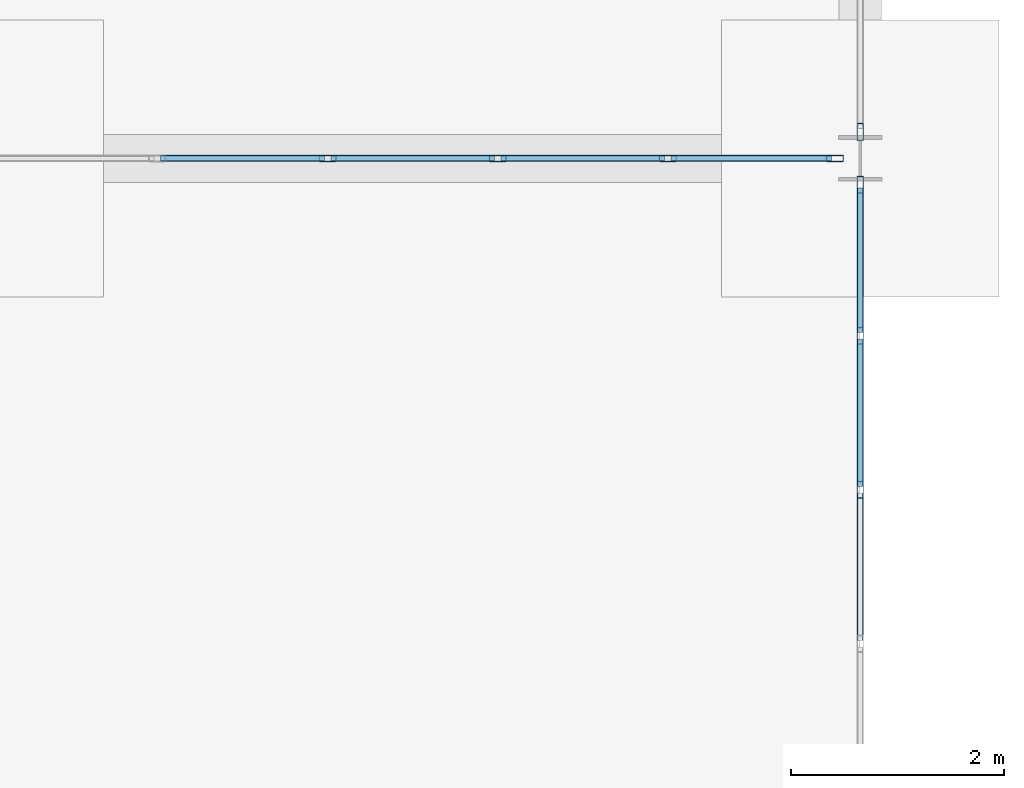
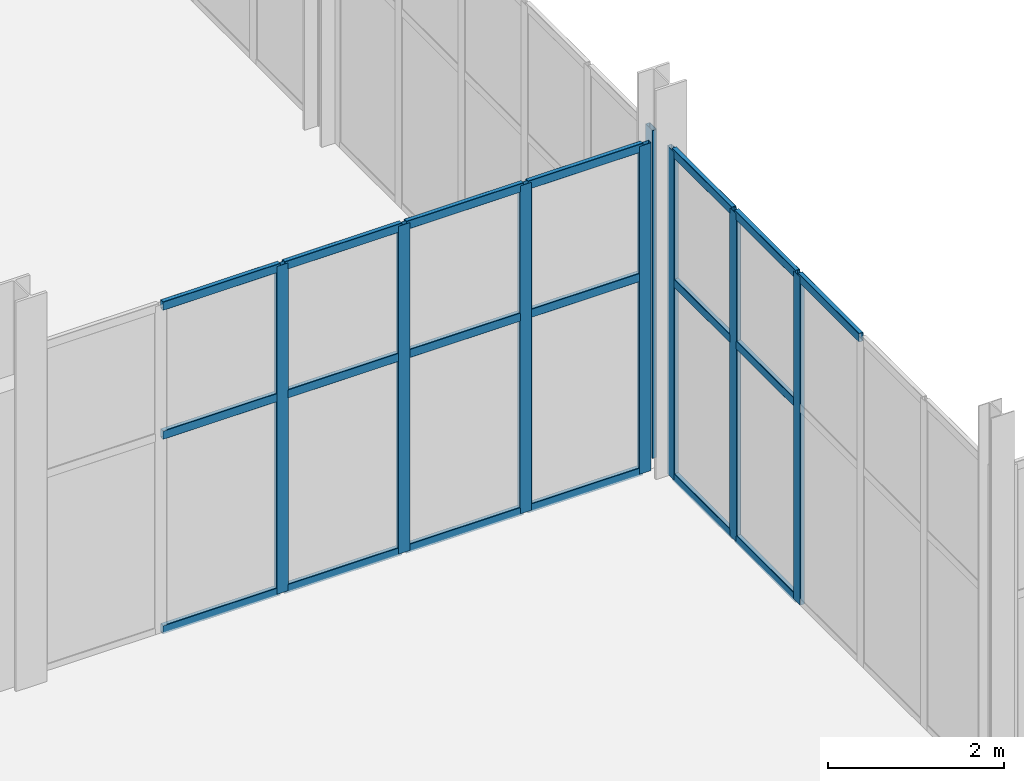
# One storey, part 30 of 95: 27 members, 3 elements without a shape of their own.
"""IFC4 building model written with IfcOpenShell, lengths in metres."""

from ifc_helpers import new_model, si_unit, direction, frame, origin, origin_2d, place, context, subcontext, project, spatial, hollow_rectangle, extrude, material, material_profile, profile_set, type_object, element, aggregate, save


model = new_model("IFC4")

# Units and contexts
model_context = context("Model", 3, precision=1e-05, world=origin(), true_north=direction((0.0, 1.0)))
body_context = subcontext(model_context, "Body", "Model", "MODEL_VIEW")
ifc_project = project(units=[si_unit("LENGTHUNIT", "METRE"), si_unit("AREAUNIT", "SQUARE_METRE"), si_unit("VOLUMEUNIT", "CUBIC_METRE"), si_unit("PLANEANGLEUNIT", "RADIAN"), si_unit("MASSUNIT", "GRAM", prefix="KILO")], contexts=[model_context])

# Site, building, storey
site_placement = place(None, origin())
site = spatial("IfcSite", under=ifc_project, at=site_placement, CompositionType="ELEMENT")
building_placement = place(site_placement, origin())
building = spatial("IfcBuilding", under=site, at=building_placement, Name="Shengluoqiao Park Theatre", CompositionType="ELEMENT")
storey_placement = place(building_placement, origin())
storey = spatial("IfcBuildingStorey", under=building, at=storey_placement, Name="L00", CompositionType="ELEMENT", Elevation=0.0)

# Curtain wall, members
ifc_material = material(Name="Aluminium 6063-T6", Category="aluminium")
curtain_wall_type_1 = type_object("IfcCurtainWallType", Name="ENV-CW-STUDIO", PredefinedType="NOTDEFINED", material=ifc_material)
curtain_wall_1_placement = place(storey_placement, origin())
curtain_wall_1 = element("IfcCurtainWall", 1, at=curtain_wall_1_placement, inside=storey, type_object=curtain_wall_type_1, Name="L00 Curtain Wall CWX-L00-0012", PredefinedType="NOTDEFINED")
ifc_material_profile_1 = material_profile(ifc_material, hollow_rectangle(XDim=0.06005859375, YDim=0.159912109375, WallThickness=0.00390625, InnerFilletRadius=0.00390625, OuterFilletRadius=0.008056640625, at=origin_2d()), Name="ALU MULLION 160x60x4")
ifc_profile_set_1 = profile_set([ifc_material_profile_1], Name="Aluminium 6063-T6")
member_type_1 = type_object("IfcMemberType", Name="ENV-MUL-160", PredefinedType="MULLION", material=ifc_profile_set_1)
member_1_placement = place(storey_placement, frame((31.00146484375, 30.39990234375, 0.0), z_axis=(0.0, 0.0, 1.0), x_axis=(0.0, 1.0, 0.0)))
member_1 = element("IfcMember", 2, at=member_1_placement, type_object=member_type_1, Name="CW-02 mullion 3", PredefinedType="MULLION", context=body_context, shape_type="SweptSolid", body=[
    extrude(hollow_rectangle(XDim=0.06005859375, YDim=0.159912109375, WallThickness=0.00390625, InnerFilletRadius=0.00390625, OuterFilletRadius=0.008056640625, at=origin_2d()), origin(), (0.0, 0.0, 1.0), 4.550048828125),
])
member_2_placement = place(storey_placement, frame((32.598388671875, 30.39990234375, 0.0), z_axis=(0.0, 0.0, 1.0), x_axis=(0.0, 1.0, 0.0)))
member_2 = element("IfcMember", 3, at=member_2_placement, type_object=member_type_1, Name="CW-02 mullion 4", PredefinedType="MULLION", context=body_context, shape_type="SweptSolid", body=[
    extrude(hollow_rectangle(XDim=0.06005859375, YDim=0.159912109375, WallThickness=0.00390625, InnerFilletRadius=0.00390625, OuterFilletRadius=0.008056640625, at=origin_2d()), origin(), (0.0, 0.0, 1.0), 4.550048828125),
])
member_3_placement = place(storey_placement, frame((34.195556640625, 30.39990234375, 0.0), z_axis=(0.0, 0.0, 1.0), x_axis=(0.0, 1.0, 0.0)))
member_3 = element("IfcMember", 4, at=member_3_placement, type_object=member_type_1, Name="CW-02 mullion 5", PredefinedType="MULLION", context=body_context, shape_type="SweptSolid", body=[
    extrude(hollow_rectangle(XDim=0.06005859375, YDim=0.159912109375, WallThickness=0.00390625, InnerFilletRadius=0.00390625, OuterFilletRadius=0.008056640625, at=origin_2d()), origin(), (0.0, 0.0, 1.0), 4.550048828125),
])
member_4_placement = place(storey_placement, frame((35.762451171875, 30.39990234375, 0.0), z_axis=(0.0, 0.0, 1.0), x_axis=(0.0, 1.0, 0.0)))
member_4 = element("IfcMember", 5, at=member_4_placement, type_object=member_type_1, Name="CW-02 mullion 6", PredefinedType="MULLION", context=body_context, shape_type="SweptSolid", body=[
    extrude(hollow_rectangle(XDim=0.06005859375, YDim=0.159912109375, WallThickness=0.00390625, InnerFilletRadius=0.00390625, OuterFilletRadius=0.008056640625, at=origin_2d()), origin(), (0.0, 0.0, 1.0), 4.550048828125),
])

# Curtain wall, member
curtain_wall_type_2 = type_object("IfcCurtainWallType", Name="ENV-CW-COURT", PredefinedType="NOTDEFINED", material=ifc_material)
curtain_wall_2_placement = place(storey_placement, origin())
curtain_wall_2 = element("IfcCurtainWall", 6, at=curtain_wall_2_placement, inside=storey, type_object=curtain_wall_type_2, Name="L00 Curtain Wall CWX-L00-0013", PredefinedType="NOTDEFINED")
member_5_placement = place(storey_placement, frame((36.0, 30.64794921875, 0.0), z_axis=(0.0, 0.0, 1.0), x_axis=(-1.0, 0.0, 0.0)))
member_5 = element("IfcMember", 7, at=member_5_placement, type_object=member_type_1, Name="CW-05 mullion 1", PredefinedType="MULLION", context=body_context, shape_type="SweptSolid", body=[
    extrude(hollow_rectangle(XDim=0.06005859375, YDim=0.159912109375, WallThickness=0.00390625, InnerFilletRadius=0.00390625, OuterFilletRadius=0.008056640625, at=origin_2d()), origin(), (0.0, 0.0, 1.0), 4.550048828125),
])
aggregate(curtain_wall_2, [member_5])

# Curtain wall, members
curtain_wall_3_placement = place(storey_placement, origin())
curtain_wall_3 = element("IfcCurtainWall", 8, at=curtain_wall_3_placement, inside=storey, type_object=curtain_wall_type_2, Name="L00 Curtain Wall CWX-L00-0154", PredefinedType="NOTDEFINED")
member_6_placement = place(storey_placement, frame((36.0, 27.290771484375, 0.0), z_axis=(0.0, 0.0, 1.0), x_axis=(-1.0, 0.0, 0.0)))
member_6 = element("IfcMember", 9, at=member_6_placement, type_object=member_type_1, Name="CW-05 mullion 4", PredefinedType="MULLION", context=body_context, shape_type="SweptSolid", body=[
    extrude(hollow_rectangle(XDim=0.06005859375, YDim=0.159912109375, WallThickness=0.00390625, InnerFilletRadius=0.00390625, OuterFilletRadius=0.008056640625, at=origin_2d()), origin(), (0.0, 0.0, 1.0), 4.550048828125),
])
member_7_placement = place(storey_placement, frame((36.0, 28.736328125, 0.0), z_axis=(0.0, 0.0, 1.0), x_axis=(-1.0, 0.0, 0.0)))
member_7 = element("IfcMember", 10, at=member_7_placement, type_object=member_type_1, Name="CW-05 mullion 5", PredefinedType="MULLION", context=body_context, shape_type="SweptSolid", body=[
    extrude(hollow_rectangle(XDim=0.06005859375, YDim=0.159912109375, WallThickness=0.00390625, InnerFilletRadius=0.00390625, OuterFilletRadius=0.008056640625, at=origin_2d()), origin(), (0.0, 0.0, 1.0), 4.550048828125),
])
member_8_placement = place(storey_placement, frame((36.0, 30.152099609375, 0.0), z_axis=(0.0, 0.0, 1.0), x_axis=(-1.0, 0.0, 0.0)))
member_8 = element("IfcMember", 11, at=member_8_placement, type_object=member_type_1, Name="CW-05 mullion 6", PredefinedType="MULLION", context=body_context, shape_type="SweptSolid", body=[
    extrude(hollow_rectangle(XDim=0.06005859375, YDim=0.159912109375, WallThickness=0.00390625, InnerFilletRadius=0.00390625, OuterFilletRadius=0.008056640625, at=origin_2d()), origin(), (0.0, 0.0, 1.0), 4.550048828125),
])

# Member
ifc_material_profile_2 = material_profile(ifc_material, hollow_rectangle(XDim=0.06005859375, YDim=0.1201171875, WallThickness=0.00390625, InnerFilletRadius=0.00390625, OuterFilletRadius=0.008056640625, at=origin_2d()), Name="ALU TRANSOM 120x60x4")
ifc_profile_set_2 = profile_set([ifc_material_profile_2], Name="Aluminium 6063-T6")
member_type_2 = type_object("IfcMemberType", Name="ENV-TRN-120", PredefinedType="USERDEFINED", material=ifc_profile_set_2)
member_9_placement = place(storey_placement, frame((29.4345703125, 30.39990234375, 0.030029296875), z_axis=(1.0, 0.0, 0.0), x_axis=(0.0, 1.0, 0.0)))
member_9 = element("IfcMember", 12, at=member_9_placement, type_object=member_type_2, Name="CW-02 transom 2.1", ObjectType="TRANSOM", PredefinedType="USERDEFINED", context=body_context, shape_type="SweptSolid", body=[
    extrude(hollow_rectangle(XDim=0.06005859375, YDim=0.1201171875, WallThickness=0.00390625, InnerFilletRadius=0.00390625, OuterFilletRadius=0.008056640625, at=origin_2d()), origin(), (0.0, 0.0, 1.0), 1.536865234375),
])

member_10_placement = place(storey_placement, frame((29.4345703125, 30.39990234375, 2.72998046875), z_axis=(1.0, 0.0, 0.0), x_axis=(0.0, 1.0, 0.0)))
member_10 = element("IfcMember", 13, at=member_10_placement, type_object=member_type_2, Name="CW-02 transom 2.2", ObjectType="TRANSOM", PredefinedType="USERDEFINED", context=body_context, shape_type="SweptSolid", body=[
    extrude(hollow_rectangle(XDim=0.06005859375, YDim=0.1201171875, WallThickness=0.00390625, InnerFilletRadius=0.00390625, OuterFilletRadius=0.008056640625, at=origin_2d()), origin(), (0.0, 0.0, 1.0), 1.536865234375),
])

member_11_placement = place(storey_placement, frame((29.4345703125, 30.39990234375, 4.52001953125), z_axis=(1.0, 0.0, 0.0), x_axis=(0.0, 1.0, 0.0)))
member_11 = element("IfcMember", 14, at=member_11_placement, type_object=member_type_2, Name="CW-02 transom 2.3", ObjectType="TRANSOM", PredefinedType="USERDEFINED", context=body_context, shape_type="SweptSolid", body=[
    extrude(hollow_rectangle(XDim=0.06005859375, YDim=0.1201171875, WallThickness=0.00390625, InnerFilletRadius=0.00390625, OuterFilletRadius=0.008056640625, at=origin_2d()), origin(), (0.0, 0.0, 1.0), 1.536865234375),
])

member_12_placement = place(storey_placement, frame((31.031494140625, 30.39990234375, 0.030029296875), z_axis=(1.0, 0.0, 0.0), x_axis=(0.0, 1.0, 0.0)))
member_12 = element("IfcMember", 15, at=member_12_placement, type_object=member_type_2, Name="CW-02 transom 3.1", ObjectType="TRANSOM", PredefinedType="USERDEFINED", context=body_context, shape_type="SweptSolid", body=[
    extrude(hollow_rectangle(XDim=0.06005859375, YDim=0.1201171875, WallThickness=0.00390625, InnerFilletRadius=0.00390625, OuterFilletRadius=0.008056640625, at=origin_2d()), origin(), (0.0, 0.0, 1.0), 1.537109375),
])

member_13_placement = place(storey_placement, frame((31.031494140625, 30.39990234375, 2.72998046875), z_axis=(1.0, 0.0, 0.0), x_axis=(0.0, 1.0, 0.0)))
member_13 = element("IfcMember", 16, at=member_13_placement, type_object=member_type_2, Name="CW-02 transom 3.2", ObjectType="TRANSOM", PredefinedType="USERDEFINED", context=body_context, shape_type="SweptSolid", body=[
    extrude(hollow_rectangle(XDim=0.06005859375, YDim=0.1201171875, WallThickness=0.00390625, InnerFilletRadius=0.00390625, OuterFilletRadius=0.008056640625, at=origin_2d()), origin(), (0.0, 0.0, 1.0), 1.537109375),
])

member_14_placement = place(storey_placement, frame((31.031494140625, 30.39990234375, 4.52001953125), z_axis=(1.0, 0.0, 0.0), x_axis=(0.0, 1.0, 0.0)))
member_14 = element("IfcMember", 17, at=member_14_placement, type_object=member_type_2, Name="CW-02 transom 3.3", ObjectType="TRANSOM", PredefinedType="USERDEFINED", context=body_context, shape_type="SweptSolid", body=[
    extrude(hollow_rectangle(XDim=0.06005859375, YDim=0.1201171875, WallThickness=0.00390625, InnerFilletRadius=0.00390625, OuterFilletRadius=0.008056640625, at=origin_2d()), origin(), (0.0, 0.0, 1.0), 1.537109375),
])

member_15_placement = place(storey_placement, frame((32.62841796875, 30.39990234375, 0.030029296875), z_axis=(1.0, 0.0, 0.0), x_axis=(0.0, 1.0, 0.0)))
member_15 = element("IfcMember", 18, at=member_15_placement, type_object=member_type_2, Name="CW-02 transom 4.1", ObjectType="TRANSOM", PredefinedType="USERDEFINED", context=body_context, shape_type="SweptSolid", body=[
    extrude(hollow_rectangle(XDim=0.06005859375, YDim=0.1201171875, WallThickness=0.00390625, InnerFilletRadius=0.00390625, OuterFilletRadius=0.008056640625, at=origin_2d()), origin(), (0.0, 0.0, 1.0), 1.537109375),
])

member_16_placement = place(storey_placement, frame((32.62841796875, 30.39990234375, 2.72998046875), z_axis=(1.0, 0.0, 0.0), x_axis=(0.0, 1.0, 0.0)))
member_16 = element("IfcMember", 19, at=member_16_placement, type_object=member_type_2, Name="CW-02 transom 4.2", ObjectType="TRANSOM", PredefinedType="USERDEFINED", context=body_context, shape_type="SweptSolid", body=[
    extrude(hollow_rectangle(XDim=0.06005859375, YDim=0.1201171875, WallThickness=0.00390625, InnerFilletRadius=0.00390625, OuterFilletRadius=0.008056640625, at=origin_2d()), origin(), (0.0, 0.0, 1.0), 1.537109375),
])

member_17_placement = place(storey_placement, frame((32.62841796875, 30.39990234375, 4.52001953125), z_axis=(1.0, 0.0, 0.0), x_axis=(0.0, 1.0, 0.0)))
member_17 = element("IfcMember", 20, at=member_17_placement, type_object=member_type_2, Name="CW-02 transom 4.3", ObjectType="TRANSOM", PredefinedType="USERDEFINED", context=body_context, shape_type="SweptSolid", body=[
    extrude(hollow_rectangle(XDim=0.06005859375, YDim=0.1201171875, WallThickness=0.00390625, InnerFilletRadius=0.00390625, OuterFilletRadius=0.008056640625, at=origin_2d()), origin(), (0.0, 0.0, 1.0), 1.537109375),
])

member_18_placement = place(storey_placement, frame((34.2255859375, 30.39990234375, 0.030029296875), z_axis=(1.0, 0.0, 0.0), x_axis=(0.0, 1.0, 0.0)))
member_18 = element("IfcMember", 21, at=member_18_placement, type_object=member_type_2, Name="CW-02 transom 5.1", ObjectType="TRANSOM", PredefinedType="USERDEFINED", context=body_context, shape_type="SweptSolid", body=[
    extrude(hollow_rectangle(XDim=0.06005859375, YDim=0.1201171875, WallThickness=0.00390625, InnerFilletRadius=0.00390625, OuterFilletRadius=0.008056640625, at=origin_2d()), origin(), (0.0, 0.0, 1.0), 1.5068359375),
])

member_19_placement = place(storey_placement, frame((34.2255859375, 30.39990234375, 2.72998046875), z_axis=(1.0, 0.0, 0.0), x_axis=(0.0, 1.0, 0.0)))
member_19 = element("IfcMember", 22, at=member_19_placement, type_object=member_type_2, Name="CW-02 transom 5.2", ObjectType="TRANSOM", PredefinedType="USERDEFINED", context=body_context, shape_type="SweptSolid", body=[
    extrude(hollow_rectangle(XDim=0.06005859375, YDim=0.1201171875, WallThickness=0.00390625, InnerFilletRadius=0.00390625, OuterFilletRadius=0.008056640625, at=origin_2d()), origin(), (0.0, 0.0, 1.0), 1.5068359375),
])

member_20_placement = place(storey_placement, frame((34.2255859375, 30.39990234375, 4.52001953125), z_axis=(1.0, 0.0, 0.0), x_axis=(0.0, 1.0, 0.0)))
member_20 = element("IfcMember", 23, at=member_20_placement, type_object=member_type_2, Name="CW-02 transom 5.3", ObjectType="TRANSOM", PredefinedType="USERDEFINED", context=body_context, shape_type="SweptSolid", body=[
    extrude(hollow_rectangle(XDim=0.06005859375, YDim=0.1201171875, WallThickness=0.00390625, InnerFilletRadius=0.00390625, OuterFilletRadius=0.008056640625, at=origin_2d()), origin(), (0.0, 0.0, 1.0), 1.5068359375),
])

aggregate(curtain_wall_1, [member_1, member_2, member_3, member_4, member_9, member_10, member_11, member_12, member_13, member_14, member_15, member_16, member_17, member_18, member_19, member_20])

member_21_placement = place(storey_placement, frame((36.0, 25.875244140625, 4.52001953125), z_axis=(0.0, 1.0, 0.0), x_axis=(-1.0, 0.0, 0.0)))
member_21 = element("IfcMember", 24, at=member_21_placement, type_object=member_type_2, Name="CW-05 transom 3.3", ObjectType="TRANSOM", PredefinedType="USERDEFINED", context=body_context, shape_type="SweptSolid", body=[
    extrude(hollow_rectangle(XDim=0.06005859375, YDim=0.1201171875, WallThickness=0.00390625, InnerFilletRadius=0.00390625, OuterFilletRadius=0.008056640625, at=origin_2d()), origin(), (0.0, 0.0, 1.0), 1.385498046875),
])

member_22_placement = place(storey_placement, frame((36.0, 27.32080078125, 0.030029296875), z_axis=(0.0, 1.0, 0.0), x_axis=(-1.0, 0.0, 0.0)))
member_22 = element("IfcMember", 25, at=member_22_placement, type_object=member_type_2, Name="CW-05 transom 4.1", ObjectType="TRANSOM", PredefinedType="USERDEFINED", context=body_context, shape_type="SweptSolid", body=[
    extrude(hollow_rectangle(XDim=0.06005859375, YDim=0.1201171875, WallThickness=0.00390625, InnerFilletRadius=0.00390625, OuterFilletRadius=0.008056640625, at=origin_2d()), origin(), (0.0, 0.0, 1.0), 1.385498046875),
])

member_23_placement = place(storey_placement, frame((36.0, 27.32080078125, 2.72998046875), z_axis=(0.0, 1.0, 0.0), x_axis=(-1.0, 0.0, 0.0)))
member_23 = element("IfcMember", 26, at=member_23_placement, type_object=member_type_2, Name="CW-05 transom 4.2", ObjectType="TRANSOM", PredefinedType="USERDEFINED", context=body_context, shape_type="SweptSolid", body=[
    extrude(hollow_rectangle(XDim=0.06005859375, YDim=0.1201171875, WallThickness=0.00390625, InnerFilletRadius=0.00390625, OuterFilletRadius=0.008056640625, at=origin_2d()), origin(), (0.0, 0.0, 1.0), 1.385498046875),
])

member_24_placement = place(storey_placement, frame((36.0, 27.32080078125, 4.52001953125), z_axis=(0.0, 1.0, 0.0), x_axis=(-1.0, 0.0, 0.0)))
member_24 = element("IfcMember", 27, at=member_24_placement, type_object=member_type_2, Name="CW-05 transom 4.3", ObjectType="TRANSOM", PredefinedType="USERDEFINED", context=body_context, shape_type="SweptSolid", body=[
    extrude(hollow_rectangle(XDim=0.06005859375, YDim=0.1201171875, WallThickness=0.00390625, InnerFilletRadius=0.00390625, OuterFilletRadius=0.008056640625, at=origin_2d()), origin(), (0.0, 0.0, 1.0), 1.385498046875),
])

member_25_placement = place(storey_placement, frame((36.0, 28.766357421875, 0.030029296875), z_axis=(0.0, 1.0, 0.0), x_axis=(-1.0, 0.0, 0.0)))
member_25 = element("IfcMember", 28, at=member_25_placement, type_object=member_type_2, Name="CW-05 transom 5.1", ObjectType="TRANSOM", PredefinedType="USERDEFINED", context=body_context, shape_type="SweptSolid", body=[
    extrude(hollow_rectangle(XDim=0.06005859375, YDim=0.1201171875, WallThickness=0.00390625, InnerFilletRadius=0.00390625, OuterFilletRadius=0.008056640625, at=origin_2d()), origin(), (0.0, 0.0, 1.0), 1.355712890625),
])

member_26_placement = place(storey_placement, frame((36.0, 28.766357421875, 2.72998046875), z_axis=(0.0, 1.0, 0.0), x_axis=(-1.0, 0.0, 0.0)))
member_26 = element("IfcMember", 29, at=member_26_placement, type_object=member_type_2, Name="CW-05 transom 5.2", ObjectType="TRANSOM", PredefinedType="USERDEFINED", context=body_context, shape_type="SweptSolid", body=[
    extrude(hollow_rectangle(XDim=0.06005859375, YDim=0.1201171875, WallThickness=0.00390625, InnerFilletRadius=0.00390625, OuterFilletRadius=0.008056640625, at=origin_2d()), origin(), (0.0, 0.0, 1.0), 1.355712890625),
])

member_27_placement = place(storey_placement, frame((36.0, 28.766357421875, 4.52001953125), z_axis=(0.0, 1.0, 0.0), x_axis=(-1.0, 0.0, 0.0)))
member_27 = element("IfcMember", 30, at=member_27_placement, type_object=member_type_2, Name="CW-05 transom 5.3", ObjectType="TRANSOM", PredefinedType="USERDEFINED", context=body_context, shape_type="SweptSolid", body=[
    extrude(hollow_rectangle(XDim=0.06005859375, YDim=0.1201171875, WallThickness=0.00390625, InnerFilletRadius=0.00390625, OuterFilletRadius=0.008056640625, at=origin_2d()), origin(), (0.0, 0.0, 1.0), 1.355712890625),
])

aggregate(curtain_wall_3, [member_6, member_7, member_8, member_21, member_22, member_23, member_24, member_25, member_26, member_27])

save(model, "model.ifc")
